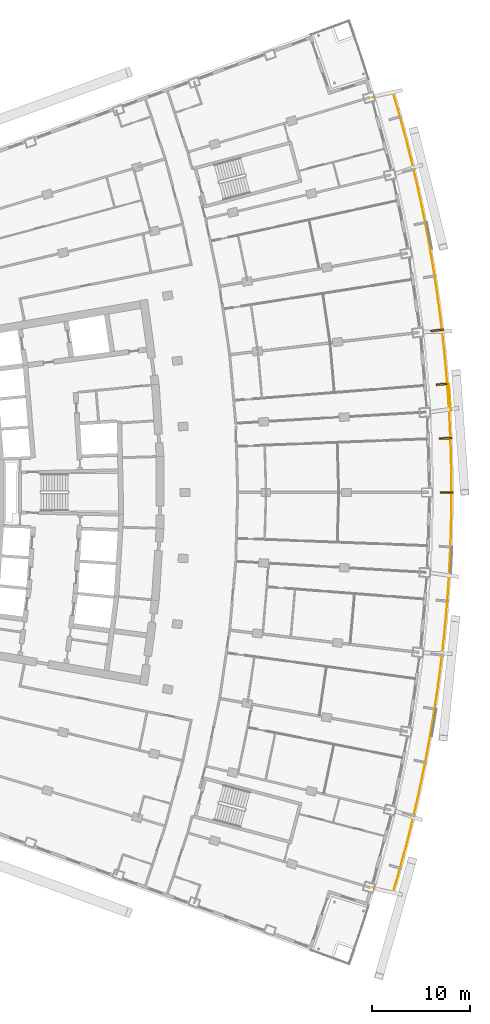
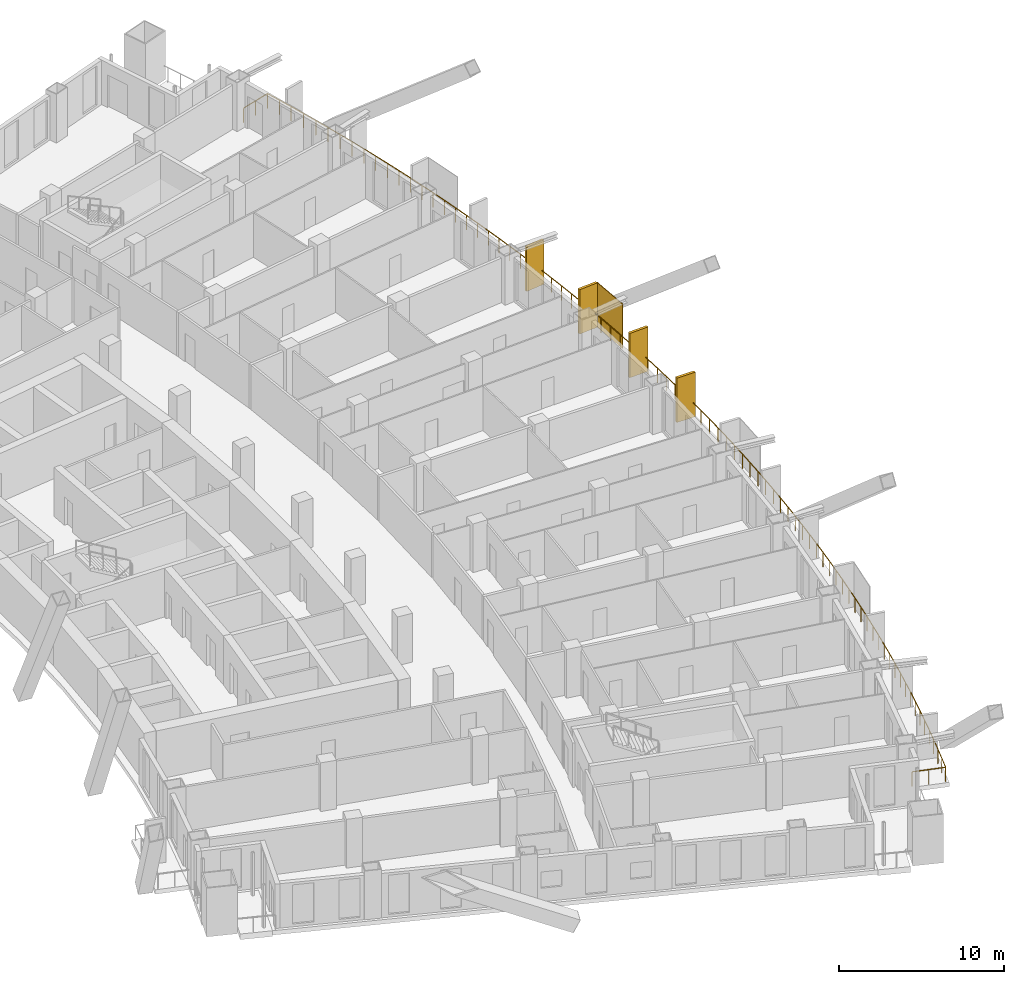
# One storey, part 24 of 25: 5 shading devices, 1 railing.
"""IFC4 building model written with IfcOpenShell, lengths in metres."""

from ifc_helpers import new_model, si_unit, direction, frame, origin, origin_2d, place, context, subcontext, project, spatial, rectangle, extrude, material, layer, layer_set, type_object, element, save


model = new_model("IFC4")

# Units and contexts
model_context = context("Model", 3, precision=1e-05, world=origin(), true_north=direction((0.0, 1.0)))
body_context = subcontext(model_context, "Body", "Model", "MODEL_VIEW")
ifc_project = project(units=[si_unit("LENGTHUNIT", "METRE"), si_unit("AREAUNIT", "SQUARE_METRE"), si_unit("VOLUMEUNIT", "CUBIC_METRE"), si_unit("PLANEANGLEUNIT", "RADIAN"), si_unit("MASSUNIT", "GRAM", prefix="KILO")], contexts=[model_context])

# Site, building, storey
site_placement = place(None, origin())
site = spatial("IfcSite", under=ifc_project, at=site_placement, CompositionType="ELEMENT")
building_placement = place(site_placement, origin())
building = spatial("IfcBuilding", under=site, at=building_placement, Name="Alderwake Tower", CompositionType="ELEMENT")
storey_placement = place(building_placement, frame((0.0, 0.0, 114.800048828125)))
storey = spatial("IfcBuildingStorey", under=building, at=storey_placement, Name="L28", CompositionType="ELEMENT", Elevation=114.800048828125)

# Railing
ifc_material_1 = material(Name="Stainless steel 316 rail and posts", Category="steel")
railing_type = type_object("IfcRailingType", Name="Balcony guard 1100", PredefinedType="GUARDRAIL", material=ifc_material_1)
railing_placement = place(storey_placement, frame((55.0732421875, 20.550048828125, 0.0)))
element("IfcRailing", 1, at=railing_placement, inside=storey, type_object=railing_type, Name="Guard BF02", PredefinedType="GUARDRAIL", context=body_context, shape_type="SweptSolid", body=[
    extrude(rectangle(XDim=0.048095703125, YDim=0.048095703125, at=origin_2d()), frame((0.0, 0.0, 1.076171875), z_axis=(0.957954179098, -0.286921227429, 0.0), x_axis=(0.286921227429, 0.957954179098, 0.0)), (0.0, 0.0, 1.0), 2.10009765625),
    extrude(rectangle(XDim=0.048095703125, YDim=0.048095703125, at=origin_2d()), frame((2.01171875, -0.6025390625, 1.076171875), z_axis=(0.280283097099, 0.959917384716, 0.0), x_axis=(-0.959917384716, 0.280283097099, 0.0)), (0.0, 0.0, 1.0), 1.98681640625),
    extrude(rectangle(XDim=0.048095703125, YDim=0.048095703125, at=origin_2d()), frame((2.568603515625, 1.3046875, 1.076171875), z_axis=(0.266491255264, 0.963837336311, 0.0), x_axis=(-0.963837336311, 0.266491255264, 0.0)), (0.0, 0.0, 1.0), 2.0869140625),
    extrude(rectangle(XDim=0.048095703125, YDim=0.048095703125, at=origin_2d()), frame((3.124755859375, 3.316162109375, 1.076171875), z_axis=(0.252459995682, 0.967607332848, 0.0), x_axis=(-0.967607332848, 0.252459995682, 0.0)), (0.0, 0.0, 1.0), 2.0869140625),
    extrude(rectangle(XDim=0.048095703125, YDim=0.048095703125, at=origin_2d()), frame((3.651611328125, 5.33544921875, 1.076171875), z_axis=(0.238321472338, 0.971186323947, 0.0), x_axis=(-0.971186323947, 0.238321472338, 0.0)), (0.0, 0.0, 1.0), 2.086669921875),
    extrude(rectangle(XDim=0.048095703125, YDim=0.048095703125, at=origin_2d()), frame((4.14892578125, 7.362060546875, 1.076171875), z_axis=(0.224158804419, 0.974552630904, 0.0), x_axis=(-0.974552630904, 0.224158804419, 0.0)), (0.0, 0.0, 1.0), 2.0869140625),
    extrude(rectangle(XDim=0.048095703125, YDim=0.048095703125, at=origin_2d()), frame((4.61669921875, 9.395751953125, 1.076171875), z_axis=(0.209864613259, 0.97773045575, 0.0), x_axis=(-0.97773045575, 0.209864613259, 0.0)), (0.0, 0.0, 1.0), 2.0869140625),
    extrude(rectangle(XDim=0.048095703125, YDim=0.048095703125, at=origin_2d()), frame((5.0546875, 11.436279296875, 1.076171875), z_axis=(0.195621117445, 0.980679549297, 0.0), x_axis=(-0.980679549297, 0.195621117445, 0.0)), (0.0, 0.0, 1.0), 2.086669921875),
    extrude(rectangle(XDim=0.048095703125, YDim=0.048095703125, at=origin_2d()), frame((5.462890625, 13.482666015625, 1.076171875), z_axis=(0.181201135189, 0.983446057802, 0.0), x_axis=(-0.983446057802, 0.181201135189, 0.0)), (0.0, 0.0, 1.0), 2.087158203125),
    extrude(rectangle(XDim=0.048095703125, YDim=0.048095703125, at=origin_2d()), frame((5.841064453125, 15.53515625, 1.076171875), z_axis=(0.16695979662, 0.985963704359, 0.0), x_axis=(-0.985963704359, 0.16695979662, 0.0)), (0.0, 0.0, 1.0), 2.086669921875),
    extrude(rectangle(XDim=0.048095703125, YDim=0.048095703125, at=origin_2d()), frame((6.189453125, 17.592529296875, 1.076171875), z_axis=(0.152549452359, 0.988295838595, 0.0), x_axis=(-0.988295838595, 0.152549452359, 0.0)), (0.0, 0.0, 1.0), 2.0869140625),
    extrude(rectangle(XDim=0.048095703125, YDim=0.048095703125, at=origin_2d()), frame((6.5078125, 19.655029296875, 1.076171875), z_axis=(0.138046582794, 0.990425737236, 0.0), x_axis=(-0.990425737236, 0.138046582794, 0.0)), (0.0, 0.0, 1.0), 2.0869140625),
    extrude(rectangle(XDim=0.048095703125, YDim=0.048095703125, at=origin_2d()), frame((6.7958984375, 21.721923828125, 1.076171875), z_axis=(0.123660351943, 0.992324602818, 0.0), x_axis=(-0.992324602818, 0.123660351943, 0.0)), (0.0, 0.0, 1.0), 2.0869140625),
    extrude(rectangle(XDim=0.048095703125, YDim=0.048095703125, at=origin_2d()), frame((7.053955078125, 23.792724609375, 1.076171875), z_axis=(0.109147447014, 0.994025570501, 0.0), x_axis=(-0.994025570501, 0.109147447014, 0.0)), (0.0, 0.0, 1.0), 2.0869140625),
    extrude(rectangle(XDim=0.048095703125, YDim=0.048095703125, at=origin_2d()), frame((7.28173828125, 25.8671875, 1.076171875), z_axis=(0.094648979103, 0.995510708508, 0.0), x_axis=(-0.995510708508, 0.094648979103, 0.0)), (0.0, 0.0, 1.0), 2.086669921875),
    extrude(rectangle(XDim=0.048095703125, YDim=0.048095703125, at=origin_2d()), frame((7.479248046875, 27.944580078125, 1.076171875), z_axis=(0.080131119252, 0.996784331602, 0.0), x_axis=(-0.996784331602, 0.080131119252, 0.0)), (0.0, 0.0, 1.0), 2.0869140625),
    extrude(rectangle(XDim=0.048095703125, YDim=0.048095703125, at=origin_2d()), frame((7.646484375, 30.02490234375, 1.076171875), z_axis=(0.065633762523, 0.997843779966, 0.0), x_axis=(-0.997843779966, 0.065633762523, 0.0)), (0.0, 0.0, 1.0), 2.086669921875),
    extrude(rectangle(XDim=0.048095703125, YDim=0.048095703125, at=origin_2d()), frame((7.783447265625, 32.107177734375, 1.076171875), z_axis=(0.051005329057, 0.998698381098, 0.0), x_axis=(-0.998698381098, 0.051005329057, 0.0)), (0.0, 0.0, 1.0), 2.0869140625),
    extrude(rectangle(XDim=0.048095703125, YDim=0.048095703125, at=origin_2d()), frame((7.889892578125, 34.19140625, 1.076171875), z_axis=(0.036384228407, 0.999337874757, 0.0), x_axis=(-0.999337874757, 0.036384228407, 0.0)), (0.0, 0.0, 1.0), 2.0869140625),
    extrude(rectangle(XDim=0.048095703125, YDim=0.048095703125, at=origin_2d()), frame((7.9658203125, 36.27685546875, 1.076171875), z_axis=(0.021878904325, 0.999760628123, 0.0), x_axis=(-0.999760628123, 0.021878904325, 0.0)), (0.0, 0.0, 1.0), 2.086669921875),
    extrude(rectangle(XDim=0.048095703125, YDim=0.048095703125, at=origin_2d()), frame((8.011474609375, 38.363037109375, 1.076171875), z_axis=(0.007369944902, 0.999972841587, 0.0), x_axis=(-0.999972841587, 0.007369944902, 0.0)), (0.0, 0.0, 1.0), 2.0869140625),
    extrude(rectangle(XDim=0.048095703125, YDim=0.048095703125, at=origin_2d()), frame((8.02685546875, 40.449951171875, 1.076171875), z_axis=(-0.007369944902, 0.999972841587, 0.0), x_axis=(-0.999972841587, -0.007369944902, 0.0)), (0.0, 0.0, 1.0), 2.0869140625),
    extrude(rectangle(XDim=0.048095703125, YDim=0.048095703125, at=origin_2d()), frame((8.011474609375, 42.536865234375, 1.076171875), z_axis=(-0.021878904325, 0.999760628123, 0.0), x_axis=(-0.999760628123, -0.021878904325, 0.0)), (0.0, 0.0, 1.0), 2.086669921875),
    extrude(rectangle(XDim=0.048095703125, YDim=0.048095703125, at=origin_2d()), frame((7.9658203125, 44.623046875, 1.076171875), z_axis=(-0.036384228407, 0.999337874757, 0.0), x_axis=(-0.999337874757, -0.036384228407, 0.0)), (0.0, 0.0, 1.0), 2.0869140625),
    extrude(rectangle(XDim=0.048095703125, YDim=0.048095703125, at=origin_2d()), frame((7.889892578125, 46.70849609375, 1.076171875), z_axis=(-0.051005329057, 0.998698381098, 0.0), x_axis=(-0.998698381098, -0.051005329057, 0.0)), (0.0, 0.0, 1.0), 2.0869140625),
    extrude(rectangle(XDim=0.048095703125, YDim=0.048095703125, at=origin_2d()), frame((7.783447265625, 48.792724609375, 1.076171875), z_axis=(-0.065633762523, 0.997843779966, 0.0), x_axis=(-0.997843779966, -0.065633762523, 0.0)), (0.0, 0.0, 1.0), 2.086669921875),
    extrude(rectangle(XDim=0.048095703125, YDim=0.048095703125, at=origin_2d()), frame((7.646484375, 50.875, 1.076171875), z_axis=(-0.080131119252, 0.996784331602, 0.0), x_axis=(-0.996784331602, -0.080131119252, 0.0)), (0.0, 0.0, 1.0), 2.0869140625),
    extrude(rectangle(XDim=0.048095703125, YDim=0.048095703125, at=origin_2d()), frame((7.479248046875, 52.955322265625, 1.076171875), z_axis=(-0.094648979103, 0.995510708508, 0.0), x_axis=(-0.995510708508, -0.094648979103, 0.0)), (0.0, 0.0, 1.0), 2.086669921875),
    extrude(rectangle(XDim=0.048095703125, YDim=0.048095703125, at=origin_2d()), frame((7.28173828125, 55.03271484375, 1.076171875), z_axis=(-0.109147447014, 0.994025570501, 0.0), x_axis=(-0.994025570501, -0.109147447014, 0.0)), (0.0, 0.0, 1.0), 2.0869140625),
    extrude(rectangle(XDim=0.048095703125, YDim=0.048095703125, at=origin_2d()), frame((7.053955078125, 57.107177734375, 1.076171875), z_axis=(-0.123660351943, 0.992324602818, 0.0), x_axis=(-0.992324602818, -0.123660351943, 0.0)), (0.0, 0.0, 1.0), 2.0869140625),
    extrude(rectangle(XDim=0.048095703125, YDim=0.048095703125, at=origin_2d()), frame((6.7958984375, 59.177978515625, 1.076171875), z_axis=(-0.138046582794, 0.990425737236, 0.0), x_axis=(-0.990425737236, -0.138046582794, 0.0)), (0.0, 0.0, 1.0), 2.0869140625),
    extrude(rectangle(XDim=0.048095703125, YDim=0.048095703125, at=origin_2d()), frame((6.5078125, 61.244873046875, 1.076171875), z_axis=(-0.152549452359, 0.988295838595, 0.0), x_axis=(-0.988295838595, -0.152549452359, 0.0)), (0.0, 0.0, 1.0), 2.0869140625),
    extrude(rectangle(XDim=0.048095703125, YDim=0.048095703125, at=origin_2d()), frame((6.189453125, 63.307373046875, 1.076171875), z_axis=(-0.16695979662, 0.985963704359, 0.0), x_axis=(-0.985963704359, -0.16695979662, 0.0)), (0.0, 0.0, 1.0), 2.086669921875),
    extrude(rectangle(XDim=0.048095703125, YDim=0.048095703125, at=origin_2d()), frame((5.841064453125, 65.36474609375, 1.076171875), z_axis=(-0.181201135189, 0.983446057802, 0.0), x_axis=(-0.983446057802, -0.181201135189, 0.0)), (0.0, 0.0, 1.0), 2.087158203125),
    extrude(rectangle(XDim=0.048095703125, YDim=0.048095703125, at=origin_2d()), frame((5.462890625, 67.417236328125, 1.076171875), z_axis=(-0.195621117445, 0.980679549297, 0.0), x_axis=(-0.980679549297, -0.195621117445, 0.0)), (0.0, 0.0, 1.0), 2.086669921875),
    extrude(rectangle(XDim=0.048095703125, YDim=0.048095703125, at=origin_2d()), frame((5.0546875, 69.463623046875, 1.076171875), z_axis=(-0.209864613259, 0.97773045575, 0.0), x_axis=(-0.97773045575, -0.209864613259, 0.0)), (0.0, 0.0, 1.0), 2.0869140625),
    extrude(rectangle(XDim=0.048095703125, YDim=0.048095703125, at=origin_2d()), frame((4.61669921875, 71.504150390625, 1.076171875), z_axis=(-0.224158804419, 0.974552630904, 0.0), x_axis=(-0.974552630904, -0.224158804419, 0.0)), (0.0, 0.0, 1.0), 2.0869140625),
    extrude(rectangle(XDim=0.048095703125, YDim=0.048095703125, at=origin_2d()), frame((4.14892578125, 73.537841796875, 1.076171875), z_axis=(-0.238321472338, 0.971186323947, 0.0), x_axis=(-0.971186323947, -0.238321472338, 0.0)), (0.0, 0.0, 1.0), 2.086669921875),
    extrude(rectangle(XDim=0.048095703125, YDim=0.048095703125, at=origin_2d()), frame((3.651611328125, 75.564453125, 1.076171875), z_axis=(-0.252459995682, 0.967607332848, 0.0), x_axis=(-0.967607332848, -0.252459995682, 0.0)), (0.0, 0.0, 1.0), 2.0869140625),
    extrude(rectangle(XDim=0.048095703125, YDim=0.048095703125, at=origin_2d()), frame((3.124755859375, 77.583740234375, 1.076171875), z_axis=(-0.266491255264, 0.963837336311, 0.0), x_axis=(-0.963837336311, -0.266491255264, 0.0)), (0.0, 0.0, 1.0), 2.0869140625),
    extrude(rectangle(XDim=0.048095703125, YDim=0.048095703125, at=origin_2d()), frame((2.568603515625, 79.59521484375, 1.076171875), z_axis=(-0.280283097099, 0.959917384716, 0.0), x_axis=(-0.959917384716, -0.280283097099, 0.0)), (0.0, 0.0, 1.0), 1.98681640625),
    extrude(rectangle(XDim=0.048095703125, YDim=0.048095703125, at=origin_2d()), frame((2.01171875, 81.50244140625, 1.076171875), z_axis=(-0.957954179098, -0.286921227429, 0.0), x_axis=(0.286921227429, -0.957954179098, 0.0)), (0.0, 0.0, 1.0), 2.10009765625),
    extrude(rectangle(XDim=0.0419921875, YDim=0.0419921875, at=origin_2d()), frame((0.0, 0.0, 0.0), z_axis=(0.0, 0.0, 1.0), x_axis=(0.957954179098, -0.286921227429, 0.0)), (0.0, 0.0, 1.0), 1.052001953125),
    extrude(rectangle(XDim=0.0419921875, YDim=0.0419921875, at=origin_2d()), frame((1.005859375, -0.30126953125, 0.0), z_axis=(0.0, 0.0, 1.0), x_axis=(0.957954179098, -0.286921227429, 0.0)), (0.0, 0.0, 1.0), 1.052001953125),
    extrude(rectangle(XDim=0.0419921875, YDim=0.0419921875, at=origin_2d()), frame((2.01171875, -0.6025390625, 0.0), z_axis=(0.0, 0.0, 1.0), x_axis=(0.280283097099, 0.959917384716, 0.0)), (0.0, 0.0, 1.0), 1.052001953125),
    extrude(rectangle(XDim=0.0419921875, YDim=0.0419921875, at=origin_2d()), frame((2.2900390625, 0.35107421875, 0.0), z_axis=(0.0, 0.0, 1.0), x_axis=(0.280283097099, 0.959917384716, 0.0)), (0.0, 0.0, 1.0), 1.052001953125),
    extrude(rectangle(XDim=0.0419921875, YDim=0.0419921875, at=origin_2d()), frame((2.568603515625, 1.3046875, 0.0), z_axis=(0.0, 0.0, 1.0), x_axis=(0.266491255264, 0.963837336311, 0.0)), (0.0, 0.0, 1.0), 1.052001953125),
    extrude(rectangle(XDim=0.0419921875, YDim=0.0419921875, at=origin_2d()), frame((2.8466796875, 2.310546875, 0.0), z_axis=(0.0, 0.0, 1.0), x_axis=(0.266491255264, 0.963837336311, 0.0)), (0.0, 0.0, 1.0), 1.052001953125),
    extrude(rectangle(XDim=0.0419921875, YDim=0.0419921875, at=origin_2d()), frame((3.124755859375, 3.316162109375, 0.0), z_axis=(0.0, 0.0, 1.0), x_axis=(0.252459995682, 0.967607332848, 0.0)), (0.0, 0.0, 1.0), 1.052001953125),
    extrude(rectangle(XDim=0.0419921875, YDim=0.0419921875, at=origin_2d()), frame((3.38818359375, 4.32568359375, 0.0), z_axis=(0.0, 0.0, 1.0), x_axis=(0.252459995682, 0.967607332848, 0.0)), (0.0, 0.0, 1.0), 1.052001953125),
    extrude(rectangle(XDim=0.0419921875, YDim=0.0419921875, at=origin_2d()), frame((3.651611328125, 5.33544921875, 0.0), z_axis=(0.0, 0.0, 1.0), x_axis=(0.238321472338, 0.971186323947, 0.0)), (0.0, 0.0, 1.0), 1.052001953125),
    extrude(rectangle(XDim=0.0419921875, YDim=0.0419921875, at=origin_2d()), frame((3.900390625, 6.3486328125, 0.0), z_axis=(0.0, 0.0, 1.0), x_axis=(0.238321472338, 0.971186323947, 0.0)), (0.0, 0.0, 1.0), 1.052001953125),
    extrude(rectangle(XDim=0.0419921875, YDim=0.0419921875, at=origin_2d()), frame((4.14892578125, 7.362060546875, 0.0), z_axis=(0.0, 0.0, 1.0), x_axis=(0.224158804419, 0.974552630904, 0.0)), (0.0, 0.0, 1.0), 1.052001953125),
    extrude(rectangle(XDim=0.0419921875, YDim=0.0419921875, at=origin_2d()), frame((4.3828125, 8.37890625, 0.0), z_axis=(0.0, 0.0, 1.0), x_axis=(0.224158804419, 0.974552630904, 0.0)), (0.0, 0.0, 1.0), 1.052001953125),
    extrude(rectangle(XDim=0.0419921875, YDim=0.0419921875, at=origin_2d()), frame((4.61669921875, 9.395751953125, 0.0), z_axis=(0.0, 0.0, 1.0), x_axis=(0.209864613259, 0.97773045575, 0.0)), (0.0, 0.0, 1.0), 1.052001953125),
    extrude(rectangle(XDim=0.0419921875, YDim=0.0419921875, at=origin_2d()), frame((4.835693359375, 10.416015625, 0.0), z_axis=(0.0, 0.0, 1.0), x_axis=(0.209864613259, 0.97773045575, 0.0)), (0.0, 0.0, 1.0), 1.052001953125),
    extrude(rectangle(XDim=0.0419921875, YDim=0.0419921875, at=origin_2d()), frame((5.0546875, 11.436279296875, 0.0), z_axis=(0.0, 0.0, 1.0), x_axis=(0.195621117445, 0.980679549297, 0.0)), (0.0, 0.0, 1.0), 1.052001953125),
    extrude(rectangle(XDim=0.0419921875, YDim=0.0419921875, at=origin_2d()), frame((5.2587890625, 12.45947265625, 0.0), z_axis=(0.0, 0.0, 1.0), x_axis=(0.195621117445, 0.980679549297, 0.0)), (0.0, 0.0, 1.0), 1.052001953125),
    extrude(rectangle(XDim=0.0419921875, YDim=0.0419921875, at=origin_2d()), frame((5.462890625, 13.482666015625, 0.0), z_axis=(0.0, 0.0, 1.0), x_axis=(0.181201135189, 0.983446057802, 0.0)), (0.0, 0.0, 1.0), 1.052001953125),
    extrude(rectangle(XDim=0.0419921875, YDim=0.0419921875, at=origin_2d()), frame((5.65185546875, 14.5087890625, 0.0), z_axis=(0.0, 0.0, 1.0), x_axis=(0.181201135189, 0.983446057802, 0.0)), (0.0, 0.0, 1.0), 1.052001953125),
    extrude(rectangle(XDim=0.0419921875, YDim=0.0419921875, at=origin_2d()), frame((5.841064453125, 15.53515625, 0.0), z_axis=(0.0, 0.0, 1.0), x_axis=(0.16695979662, 0.985963704359, 0.0)), (0.0, 0.0, 1.0), 1.052001953125),
    extrude(rectangle(XDim=0.0419921875, YDim=0.0419921875, at=origin_2d()), frame((6.01513671875, 16.56396484375, 0.0), z_axis=(0.0, 0.0, 1.0), x_axis=(0.16695979662, 0.985963704359, 0.0)), (0.0, 0.0, 1.0), 1.052001953125),
    extrude(rectangle(XDim=0.0419921875, YDim=0.0419921875, at=origin_2d()), frame((6.189453125, 17.592529296875, 0.0), z_axis=(0.0, 0.0, 1.0), x_axis=(0.152549452359, 0.988295838595, 0.0)), (0.0, 0.0, 1.0), 1.052001953125),
    extrude(rectangle(XDim=0.0419921875, YDim=0.0419921875, at=origin_2d()), frame((6.3486328125, 18.623779296875, 0.0), z_axis=(0.0, 0.0, 1.0), x_axis=(0.152549452359, 0.988295838595, 0.0)), (0.0, 0.0, 1.0), 1.052001953125),
    extrude(rectangle(XDim=0.0419921875, YDim=0.0419921875, at=origin_2d()), frame((6.5078125, 19.655029296875, 0.0), z_axis=(0.0, 0.0, 1.0), x_axis=(0.138046582794, 0.990425737236, 0.0)), (0.0, 0.0, 1.0), 1.052001953125),
    extrude(rectangle(XDim=0.0419921875, YDim=0.0419921875, at=origin_2d()), frame((6.65185546875, 20.6884765625, 0.0), z_axis=(0.0, 0.0, 1.0), x_axis=(0.138046582794, 0.990425737236, 0.0)), (0.0, 0.0, 1.0), 1.052001953125),
    extrude(rectangle(XDim=0.0419921875, YDim=0.0419921875, at=origin_2d()), frame((6.7958984375, 21.721923828125, 0.0), z_axis=(0.0, 0.0, 1.0), x_axis=(0.123660351943, 0.992324602818, 0.0)), (0.0, 0.0, 1.0), 1.052001953125),
    extrude(rectangle(XDim=0.0419921875, YDim=0.0419921875, at=origin_2d()), frame((6.9248046875, 22.75732421875, 0.0), z_axis=(0.0, 0.0, 1.0), x_axis=(0.123660351943, 0.992324602818, 0.0)), (0.0, 0.0, 1.0), 1.052001953125),
    extrude(rectangle(XDim=0.0419921875, YDim=0.0419921875, at=origin_2d()), frame((7.053955078125, 23.792724609375, 0.0), z_axis=(0.0, 0.0, 1.0), x_axis=(0.109147447014, 0.994025570501, 0.0)), (0.0, 0.0, 1.0), 1.052001953125),
    extrude(rectangle(XDim=0.0419921875, YDim=0.0419921875, at=origin_2d()), frame((7.16796875, 24.830078125, 0.0), z_axis=(0.0, 0.0, 1.0), x_axis=(0.109147447014, 0.994025570501, 0.0)), (0.0, 0.0, 1.0), 1.052001953125),
    extrude(rectangle(XDim=0.0419921875, YDim=0.0419921875, at=origin_2d()), frame((7.28173828125, 25.8671875, 0.0), z_axis=(0.0, 0.0, 1.0), x_axis=(0.094648979103, 0.995510708508, 0.0)), (0.0, 0.0, 1.0), 1.052001953125),
    extrude(rectangle(XDim=0.0419921875, YDim=0.0419921875, at=origin_2d()), frame((7.38037109375, 26.90576171875, 0.0), z_axis=(0.0, 0.0, 1.0), x_axis=(0.094648979103, 0.995510708508, 0.0)), (0.0, 0.0, 1.0), 1.052001953125),
    extrude(rectangle(XDim=0.0419921875, YDim=0.0419921875, at=origin_2d()), frame((7.479248046875, 27.944580078125, 0.0), z_axis=(0.0, 0.0, 1.0), x_axis=(0.080131119252, 0.996784331602, 0.0)), (0.0, 0.0, 1.0), 1.052001953125),
    extrude(rectangle(XDim=0.0419921875, YDim=0.0419921875, at=origin_2d()), frame((7.56298828125, 28.98486328125, 0.0), z_axis=(0.0, 0.0, 1.0), x_axis=(0.080131119252, 0.996784331602, 0.0)), (0.0, 0.0, 1.0), 1.052001953125),
    extrude(rectangle(XDim=0.0419921875, YDim=0.0419921875, at=origin_2d()), frame((7.646484375, 30.02490234375, 0.0), z_axis=(0.0, 0.0, 1.0), x_axis=(0.065633762523, 0.997843779966, 0.0)), (0.0, 0.0, 1.0), 1.052001953125),
    extrude(rectangle(XDim=0.0419921875, YDim=0.0419921875, at=origin_2d()), frame((7.71484375, 31.06591796875, 0.0), z_axis=(0.0, 0.0, 1.0), x_axis=(0.065633762523, 0.997843779966, 0.0)), (0.0, 0.0, 1.0), 1.052001953125),
    extrude(rectangle(XDim=0.0419921875, YDim=0.0419921875, at=origin_2d()), frame((7.783447265625, 32.107177734375, 0.0), z_axis=(0.0, 0.0, 1.0), x_axis=(0.051005329057, 0.998698381098, 0.0)), (0.0, 0.0, 1.0), 1.052001953125),
    extrude(rectangle(XDim=0.0419921875, YDim=0.0419921875, at=origin_2d()), frame((7.836669921875, 33.1494140625, 0.0), z_axis=(0.0, 0.0, 1.0), x_axis=(0.051005329057, 0.998698381098, 0.0)), (0.0, 0.0, 1.0), 1.052001953125),
    extrude(rectangle(XDim=0.0419921875, YDim=0.0419921875, at=origin_2d()), frame((7.889892578125, 34.19140625, 0.0), z_axis=(0.0, 0.0, 1.0), x_axis=(0.036384228407, 0.999337874757, 0.0)), (0.0, 0.0, 1.0), 1.052001953125),
    extrude(rectangle(XDim=0.0419921875, YDim=0.0419921875, at=origin_2d()), frame((7.927734375, 35.234130859375, 0.0), z_axis=(0.0, 0.0, 1.0), x_axis=(0.036384228407, 0.999337874757, 0.0)), (0.0, 0.0, 1.0), 1.052001953125),
    extrude(rectangle(XDim=0.0419921875, YDim=0.0419921875, at=origin_2d()), frame((7.9658203125, 36.27685546875, 0.0), z_axis=(0.0, 0.0, 1.0), x_axis=(0.021878904325, 0.999760628123, 0.0)), (0.0, 0.0, 1.0), 1.052001953125),
    extrude(rectangle(XDim=0.0419921875, YDim=0.0419921875, at=origin_2d()), frame((7.98876953125, 37.31982421875, 0.0), z_axis=(0.0, 0.0, 1.0), x_axis=(0.021878904325, 0.999760628123, 0.0)), (0.0, 0.0, 1.0), 1.052001953125),
    extrude(rectangle(XDim=0.0419921875, YDim=0.0419921875, at=origin_2d()), frame((8.011474609375, 38.363037109375, 0.0), z_axis=(0.0, 0.0, 1.0), x_axis=(0.007369944902, 0.999972841587, 0.0)), (0.0, 0.0, 1.0), 1.052001953125),
    extrude(rectangle(XDim=0.0419921875, YDim=0.0419921875, at=origin_2d()), frame((8.01904296875, 39.406494140625, 0.0), z_axis=(0.0, 0.0, 1.0), x_axis=(0.007369944902, 0.999972841587, 0.0)), (0.0, 0.0, 1.0), 1.052001953125),
    extrude(rectangle(XDim=0.0419921875, YDim=0.0419921875, at=origin_2d()), frame((8.02685546875, 40.449951171875, 0.0), z_axis=(0.0, 0.0, 1.0), x_axis=(-0.007369944902, 0.999972841587, 0.0)), (0.0, 0.0, 1.0), 1.052001953125),
    extrude(rectangle(XDim=0.0419921875, YDim=0.0419921875, at=origin_2d()), frame((8.01904296875, 41.493408203125, 0.0), z_axis=(0.0, 0.0, 1.0), x_axis=(-0.007369944902, 0.999972841587, 0.0)), (0.0, 0.0, 1.0), 1.052001953125),
    extrude(rectangle(XDim=0.0419921875, YDim=0.0419921875, at=origin_2d()), frame((8.011474609375, 42.536865234375, 0.0), z_axis=(0.0, 0.0, 1.0), x_axis=(-0.021878904325, 0.999760628123, 0.0)), (0.0, 0.0, 1.0), 1.052001953125),
    extrude(rectangle(XDim=0.0419921875, YDim=0.0419921875, at=origin_2d()), frame((7.98876953125, 43.580078125, 0.0), z_axis=(0.0, 0.0, 1.0), x_axis=(-0.021878904325, 0.999760628123, 0.0)), (0.0, 0.0, 1.0), 1.052001953125),
    extrude(rectangle(XDim=0.0419921875, YDim=0.0419921875, at=origin_2d()), frame((7.9658203125, 44.623046875, 0.0), z_axis=(0.0, 0.0, 1.0), x_axis=(-0.036384228407, 0.999337874757, 0.0)), (0.0, 0.0, 1.0), 1.052001953125),
    extrude(rectangle(XDim=0.0419921875, YDim=0.0419921875, at=origin_2d()), frame((7.927734375, 45.665771484375, 0.0), z_axis=(0.0, 0.0, 1.0), x_axis=(-0.036384228407, 0.999337874757, 0.0)), (0.0, 0.0, 1.0), 1.052001953125),
    extrude(rectangle(XDim=0.0419921875, YDim=0.0419921875, at=origin_2d()), frame((7.889892578125, 46.70849609375, 0.0), z_axis=(0.0, 0.0, 1.0), x_axis=(-0.051005329057, 0.998698381098, 0.0)), (0.0, 0.0, 1.0), 1.052001953125),
    extrude(rectangle(XDim=0.0419921875, YDim=0.0419921875, at=origin_2d()), frame((7.836669921875, 47.75048828125, 0.0), z_axis=(0.0, 0.0, 1.0), x_axis=(-0.051005329057, 0.998698381098, 0.0)), (0.0, 0.0, 1.0), 1.052001953125),
    extrude(rectangle(XDim=0.0419921875, YDim=0.0419921875, at=origin_2d()), frame((7.783447265625, 48.792724609375, 0.0), z_axis=(0.0, 0.0, 1.0), x_axis=(-0.065633762523, 0.997843779966, 0.0)), (0.0, 0.0, 1.0), 1.052001953125),
    extrude(rectangle(XDim=0.0419921875, YDim=0.0419921875, at=origin_2d()), frame((7.71484375, 49.833984375, 0.0), z_axis=(0.0, 0.0, 1.0), x_axis=(-0.065633762523, 0.997843779966, 0.0)), (0.0, 0.0, 1.0), 1.052001953125),
    extrude(rectangle(XDim=0.0419921875, YDim=0.0419921875, at=origin_2d()), frame((7.646484375, 50.875, 0.0), z_axis=(0.0, 0.0, 1.0), x_axis=(-0.080131119252, 0.996784331602, 0.0)), (0.0, 0.0, 1.0), 1.052001953125),
    extrude(rectangle(XDim=0.0419921875, YDim=0.0419921875, at=origin_2d()), frame((7.56298828125, 51.9150390625, 0.0), z_axis=(0.0, 0.0, 1.0), x_axis=(-0.080131119252, 0.996784331602, 0.0)), (0.0, 0.0, 1.0), 1.052001953125),
    extrude(rectangle(XDim=0.0419921875, YDim=0.0419921875, at=origin_2d()), frame((7.479248046875, 52.955322265625, 0.0), z_axis=(0.0, 0.0, 1.0), x_axis=(-0.094648979103, 0.995510708508, 0.0)), (0.0, 0.0, 1.0), 1.052001953125),
    extrude(rectangle(XDim=0.0419921875, YDim=0.0419921875, at=origin_2d()), frame((7.38037109375, 53.994140625, 0.0), z_axis=(0.0, 0.0, 1.0), x_axis=(-0.094648979103, 0.995510708508, 0.0)), (0.0, 0.0, 1.0), 1.052001953125),
    extrude(rectangle(XDim=0.0419921875, YDim=0.0419921875, at=origin_2d()), frame((7.28173828125, 55.03271484375, 0.0), z_axis=(0.0, 0.0, 1.0), x_axis=(-0.109147447014, 0.994025570501, 0.0)), (0.0, 0.0, 1.0), 1.052001953125),
    extrude(rectangle(XDim=0.0419921875, YDim=0.0419921875, at=origin_2d()), frame((7.16796875, 56.06982421875, 0.0), z_axis=(0.0, 0.0, 1.0), x_axis=(-0.109147447014, 0.994025570501, 0.0)), (0.0, 0.0, 1.0), 1.052001953125),
    extrude(rectangle(XDim=0.0419921875, YDim=0.0419921875, at=origin_2d()), frame((7.053955078125, 57.107177734375, 0.0), z_axis=(0.0, 0.0, 1.0), x_axis=(-0.123660351943, 0.992324602818, 0.0)), (0.0, 0.0, 1.0), 1.052001953125),
    extrude(rectangle(XDim=0.0419921875, YDim=0.0419921875, at=origin_2d()), frame((6.9248046875, 58.142578125, 0.0), z_axis=(0.0, 0.0, 1.0), x_axis=(-0.123660351943, 0.992324602818, 0.0)), (0.0, 0.0, 1.0), 1.052001953125),
    extrude(rectangle(XDim=0.0419921875, YDim=0.0419921875, at=origin_2d()), frame((6.7958984375, 59.177978515625, 0.0), z_axis=(0.0, 0.0, 1.0), x_axis=(-0.138046582794, 0.990425737236, 0.0)), (0.0, 0.0, 1.0), 1.052001953125),
    extrude(rectangle(XDim=0.0419921875, YDim=0.0419921875, at=origin_2d()), frame((6.65185546875, 60.21142578125, 0.0), z_axis=(0.0, 0.0, 1.0), x_axis=(-0.138046582794, 0.990425737236, 0.0)), (0.0, 0.0, 1.0), 1.052001953125),
    extrude(rectangle(XDim=0.0419921875, YDim=0.0419921875, at=origin_2d()), frame((6.5078125, 61.244873046875, 0.0), z_axis=(0.0, 0.0, 1.0), x_axis=(-0.152549452359, 0.988295838595, 0.0)), (0.0, 0.0, 1.0), 1.052001953125),
    extrude(rectangle(XDim=0.0419921875, YDim=0.0419921875, at=origin_2d()), frame((6.3486328125, 62.276123046875, 0.0), z_axis=(0.0, 0.0, 1.0), x_axis=(-0.152549452359, 0.988295838595, 0.0)), (0.0, 0.0, 1.0), 1.052001953125),
    extrude(rectangle(XDim=0.0419921875, YDim=0.0419921875, at=origin_2d()), frame((6.189453125, 63.307373046875, 0.0), z_axis=(0.0, 0.0, 1.0), x_axis=(-0.16695979662, 0.985963704359, 0.0)), (0.0, 0.0, 1.0), 1.052001953125),
    extrude(rectangle(XDim=0.0419921875, YDim=0.0419921875, at=origin_2d()), frame((6.01513671875, 64.3359375, 0.0), z_axis=(0.0, 0.0, 1.0), x_axis=(-0.16695979662, 0.985963704359, 0.0)), (0.0, 0.0, 1.0), 1.052001953125),
    extrude(rectangle(XDim=0.0419921875, YDim=0.0419921875, at=origin_2d()), frame((5.841064453125, 65.36474609375, 0.0), z_axis=(0.0, 0.0, 1.0), x_axis=(-0.181201135189, 0.983446057802, 0.0)), (0.0, 0.0, 1.0), 1.052001953125),
    extrude(rectangle(XDim=0.0419921875, YDim=0.0419921875, at=origin_2d()), frame((5.65185546875, 66.39111328125, 0.0), z_axis=(0.0, 0.0, 1.0), x_axis=(-0.181201135189, 0.983446057802, 0.0)), (0.0, 0.0, 1.0), 1.052001953125),
    extrude(rectangle(XDim=0.0419921875, YDim=0.0419921875, at=origin_2d()), frame((5.462890625, 67.417236328125, 0.0), z_axis=(0.0, 0.0, 1.0), x_axis=(-0.195621117445, 0.980679549297, 0.0)), (0.0, 0.0, 1.0), 1.052001953125),
    extrude(rectangle(XDim=0.0419921875, YDim=0.0419921875, at=origin_2d()), frame((5.2587890625, 68.4404296875, 0.0), z_axis=(0.0, 0.0, 1.0), x_axis=(-0.195621117445, 0.980679549297, 0.0)), (0.0, 0.0, 1.0), 1.052001953125),
    extrude(rectangle(XDim=0.0419921875, YDim=0.0419921875, at=origin_2d()), frame((5.0546875, 69.463623046875, 0.0), z_axis=(0.0, 0.0, 1.0), x_axis=(-0.209864613259, 0.97773045575, 0.0)), (0.0, 0.0, 1.0), 1.052001953125),
    extrude(rectangle(XDim=0.0419921875, YDim=0.0419921875, at=origin_2d()), frame((4.835693359375, 70.48388671875, 0.0), z_axis=(0.0, 0.0, 1.0), x_axis=(-0.209864613259, 0.97773045575, 0.0)), (0.0, 0.0, 1.0), 1.052001953125),
    extrude(rectangle(XDim=0.0419921875, YDim=0.0419921875, at=origin_2d()), frame((4.61669921875, 71.504150390625, 0.0), z_axis=(0.0, 0.0, 1.0), x_axis=(-0.224158804419, 0.974552630904, 0.0)), (0.0, 0.0, 1.0), 1.052001953125),
    extrude(rectangle(XDim=0.0419921875, YDim=0.0419921875, at=origin_2d()), frame((4.3828125, 72.52099609375, 0.0), z_axis=(0.0, 0.0, 1.0), x_axis=(-0.224158804419, 0.974552630904, 0.0)), (0.0, 0.0, 1.0), 1.052001953125),
    extrude(rectangle(XDim=0.0419921875, YDim=0.0419921875, at=origin_2d()), frame((4.14892578125, 73.537841796875, 0.0), z_axis=(0.0, 0.0, 1.0), x_axis=(-0.238321472338, 0.971186323947, 0.0)), (0.0, 0.0, 1.0), 1.052001953125),
    extrude(rectangle(XDim=0.0419921875, YDim=0.0419921875, at=origin_2d()), frame((3.900390625, 74.55126953125, 0.0), z_axis=(0.0, 0.0, 1.0), x_axis=(-0.238321472338, 0.971186323947, 0.0)), (0.0, 0.0, 1.0), 1.052001953125),
    extrude(rectangle(XDim=0.0419921875, YDim=0.0419921875, at=origin_2d()), frame((3.651611328125, 75.564453125, 0.0), z_axis=(0.0, 0.0, 1.0), x_axis=(-0.252459995682, 0.967607332848, 0.0)), (0.0, 0.0, 1.0), 1.052001953125),
    extrude(rectangle(XDim=0.0419921875, YDim=0.0419921875, at=origin_2d()), frame((3.38818359375, 76.57421875, 0.0), z_axis=(0.0, 0.0, 1.0), x_axis=(-0.252459995682, 0.967607332848, 0.0)), (0.0, 0.0, 1.0), 1.052001953125),
    extrude(rectangle(XDim=0.0419921875, YDim=0.0419921875, at=origin_2d()), frame((3.124755859375, 77.583740234375, 0.0), z_axis=(0.0, 0.0, 1.0), x_axis=(-0.266491255264, 0.963837336311, 0.0)), (0.0, 0.0, 1.0), 1.052001953125),
    extrude(rectangle(XDim=0.0419921875, YDim=0.0419921875, at=origin_2d()), frame((2.8466796875, 78.58935546875, 0.0), z_axis=(0.0, 0.0, 1.0), x_axis=(-0.266491255264, 0.963837336311, 0.0)), (0.0, 0.0, 1.0), 1.052001953125),
    extrude(rectangle(XDim=0.0419921875, YDim=0.0419921875, at=origin_2d()), frame((2.568603515625, 79.59521484375, 0.0), z_axis=(0.0, 0.0, 1.0), x_axis=(-0.280283097099, 0.959917384716, 0.0)), (0.0, 0.0, 1.0), 1.052001953125),
    extrude(rectangle(XDim=0.0419921875, YDim=0.0419921875, at=origin_2d()), frame((2.2900390625, 80.548828125, 0.0), z_axis=(0.0, 0.0, 1.0), x_axis=(-0.280283097099, 0.959917384716, 0.0)), (0.0, 0.0, 1.0), 1.052001953125),
    extrude(rectangle(XDim=0.0419921875, YDim=0.0419921875, at=origin_2d()), frame((2.01171875, 81.50244140625, 0.0), z_axis=(0.0, 0.0, 1.0), x_axis=(-0.957954179098, -0.286921227429, 0.0)), (0.0, 0.0, 1.0), 1.052001953125),
    extrude(rectangle(XDim=0.0419921875, YDim=0.0419921875, at=origin_2d()), frame((1.005859375, 81.201171875, 0.0), z_axis=(0.0, 0.0, 1.0), x_axis=(-0.957954179098, -0.286921227429, 0.0)), (0.0, 0.0, 1.0), 1.052001953125),
    extrude(rectangle(XDim=0.0419921875, YDim=0.0419921875, at=origin_2d()), frame((0.0, 80.89990234375, 0.0), z_axis=(0.0, 0.0, 1.0), x_axis=(-0.957954179098, -0.286921227429, 0.0)), (0.0, 0.0, 1.0), 1.052001953125),
])

# Shading devices
ifc_material_2 = material(Name="Bronze anodised aluminium", Category="aluminium")
ifc_layer_1 = layer(ifc_material_2, 0.179931640625)
ifc_layer_set_1 = layer_set([ifc_layer_1], Name="Facade fin 1300")
shading_device_type_1 = type_object("IfcShadingDeviceType", Name="Facade fin 1300", PredefinedType="USERDEFINED", material=ifc_layer_set_1)
for number, where, z_axis, x_axis, name in (
    (2, (62.60009765625, 61.0, 0.0), (0.0, 0.0, 1.0), (1.0, 0.0, 0.0), "Fin"),
    (3, (62.4921875, 66.545654296875, 0.0), (0.0, 0.0, 1.0), (0.999243494356, 0.038890088543, 0.0), "Fin"),
    (4, (62.168701171875, 72.0830078125, 0.0), (0.0, 0.0, 1.0), (0.996975122026, 0.077721335943, 0.0), "Fin"),
    (5, (61.630126953125, 77.603759765625, 0.0), (0.0, 0.0, 1.0), (0.993198315083, 0.116434990084, 0.0), "Fin"),
):
    element("IfcShadingDevice", number, at=place(storey_placement, frame(where, z_axis=z_axis, x_axis=x_axis)), inside=storey, type_object=shading_device_type_1, Name=name, ObjectType="FIN", PredefinedType="USERDEFINED", context=body_context, shape_type="SweptSolid", body=[
        extrude(rectangle(XDim=1.300048828125, YDim=0.179931640625, at=origin_2d()), origin(), (0.0, 0.0, 1.0), 3.280029296875),
    ])
ifc_material_3 = material(Name="Perforated bronze anodised aluminium", Category="aluminium")
ifc_layer_2 = layer(ifc_material_3, 0.050048828125)
ifc_layer_set_2 = layer_set([ifc_layer_2], Name="Perforated screen panel")
shading_device_type_2 = type_object("IfcShadingDeviceType", Name="Perforated screen panel", PredefinedType="USERDEFINED", material=ifc_layer_set_2)
shading_device_placement = place(storey_placement, frame((62.9365234375, 70.741943359375, 0.0), z_axis=(0.0, 0.0, 1.0), x_axis=(0.997685465774, 0.067997877779, 0.0)))
element("IfcShadingDevice", 6, at=shading_device_placement, inside=storey, type_object=shading_device_type_2, Name="Screen panel", ObjectType="SCREEN", PredefinedType="USERDEFINED", context=body_context, shape_type="SweptSolid", body=[
    extrude(rectangle(XDim=0.050048828125, YDim=2.793701171875, at=origin_2d()), origin(), (0.0, 0.0, 1.0), 3.280029296875),
])

save(model, "model.ifc")
